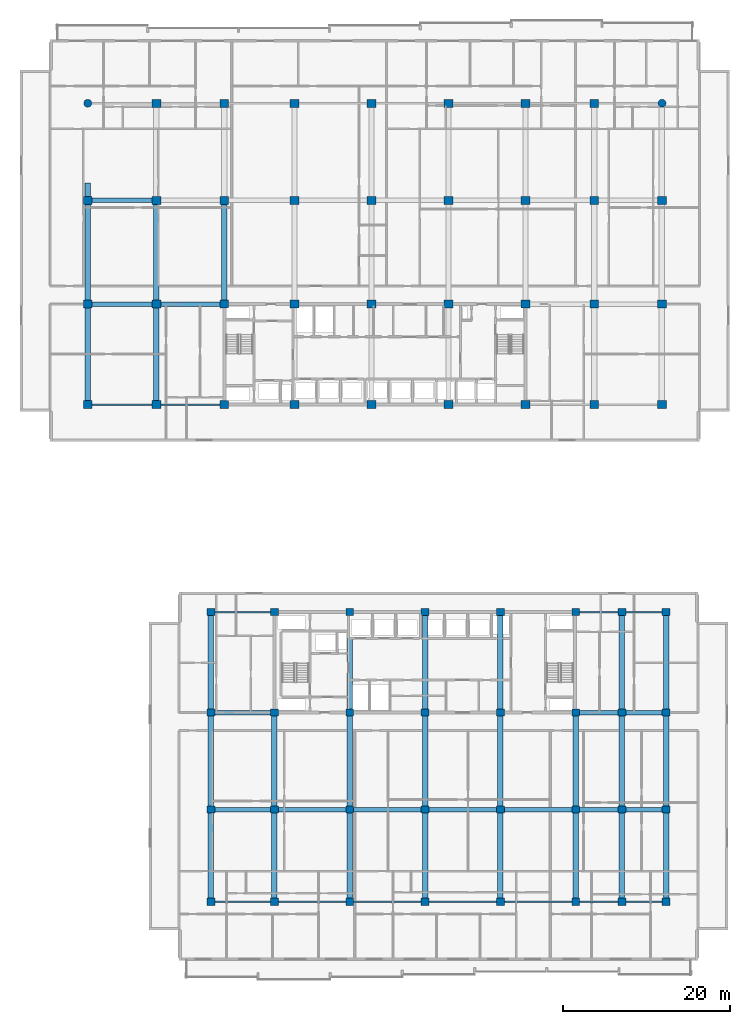
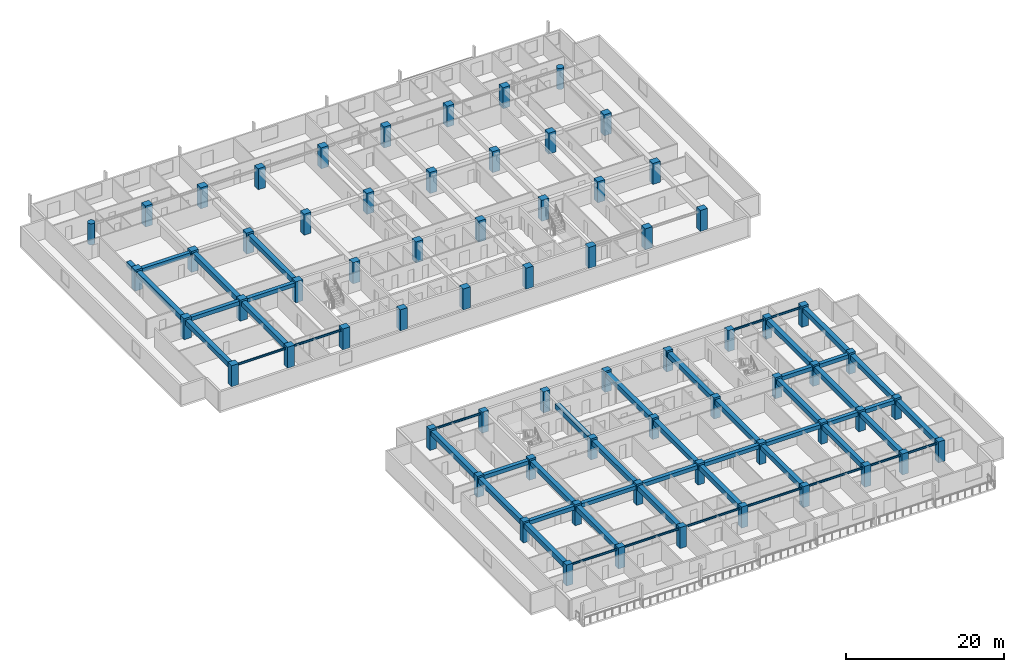
# One storey, part 1 of 23: 68 columns, 53 beams.
"""IFC4 building model written with IfcOpenShell, lengths in metres."""

from ifc_helpers import new_model, si_unit, direction, frame, origin, origin_2d, place, context, subcontext, project, spatial, rectangle, circle, i_section, extrude, material, material_profile, profile_set, type_object, element, save


model = new_model("IFC4")

# Units and contexts
model_context = context("Model", 3, precision=1e-05, world=origin(), true_north=direction((0.0, 1.0)))
body_context = subcontext(model_context, "Body", "Model", "MODEL_VIEW")
ifc_project = project(units=[si_unit("LENGTHUNIT", "METRE"), si_unit("AREAUNIT", "SQUARE_METRE"), si_unit("VOLUMEUNIT", "CUBIC_METRE"), si_unit("PLANEANGLEUNIT", "RADIAN"), si_unit("MASSUNIT", "GRAM", prefix="KILO")], contexts=[model_context])

# Site, building, storey
site_placement = place(None, origin())
site = spatial("IfcSite", under=ifc_project, at=site_placement, CompositionType="ELEMENT")
building_placement = place(site_placement, origin())
building = spatial("IfcBuilding", under=site, at=building_placement, Name="Korimba Cascade Residences", CompositionType="ELEMENT")
storey_placement = place(building_placement, frame((0.0, 0.0, 59.75)))
storey = spatial("IfcBuildingStorey", under=building, at=storey_placement, Name="L16", CompositionType="ELEMENT", Elevation=59.75)

# Columns
ifc_material_1 = material(Name="Concrete C80/95", Category="concrete")
ifc_material_profile_1 = material_profile(ifc_material_1, rectangle(XDim=1.050048828125, YDim=0.949951171875, at=origin_2d()), Name="Concrete C80/95")
ifc_profile_set_1 = profile_set([ifc_material_profile_1], Name="Concrete C80/95")
column_type_1 = type_object("IfcColumnType", Name="COL-RC-1050", PredefinedType="COLUMN", material=ifc_profile_set_1)
for number, where, z_axis, x_axis, name in (
    (1, (59.800048828125, 55.199951171875, 0.0), (0.0, 0.0, 1.0), (1.0, 0.0, 0.0), "L16 Tower 1 Column 1.1"),
    (2, (59.800048828125, 67.199951171875, 0.0), (0.0, 0.0, 1.0), (1.0, 0.0, 0.0), "L16 Tower 1 Column 1.2"),
    (3, (59.800048828125, 79.60009765625, 0.0), (0.0, 0.0, 1.0), (1.0, 0.0, 0.0), "L16 Tower 1 Column 1.3"),
    (4, (68.0, 55.199951171875, 0.0), (0.0, 0.0, 1.0), (1.0, 0.0, 0.0), "L16 Tower 1 Column 2.1"),
    (5, (68.0, 67.199951171875, 0.0), (0.0, 0.0, 1.0), (1.0, 0.0, 0.0), "L16 Tower 1 Column 2.2"),
    (6, (68.0, 79.60009765625, 0.0), (0.0, 0.0, 1.0), (1.0, 0.0, 0.0), "L16 Tower 1 Column 2.3"),
    (7, (68.0, 91.199951171875, 0.0), (0.0, 0.0, 1.0), (1.0, 0.0, 0.0), "L16 Tower 1 Column 2.4"),
    (8, (76.10009765625, 55.199951171875, 0.0), (0.0, 0.0, 1.0), (1.0, 0.0, 0.0), "L16 Tower 1 Column 3.1"),
    (9, (76.10009765625, 67.199951171875, 0.0), (0.0, 0.0, 1.0), (1.0, 0.0, 0.0), "L16 Tower 1 Column 3.2"),
    (10, (76.10009765625, 79.60009765625, 0.0), (0.0, 0.0, 1.0), (1.0, 0.0, 0.0), "L16 Tower 1 Column 3.3"),
    (11, (76.10009765625, 91.199951171875, 0.0), (0.0, 0.0, 1.0), (1.0, 0.0, 0.0), "L16 Tower 1 Column 3.4"),
    (12, (84.5, 55.199951171875, 0.0), (0.0, 0.0, 1.0), (1.0, 0.0, 0.0), "L16 Tower 1 Column 4.1"),
    (13, (84.5, 67.199951171875, 0.0), (0.0, 0.0, 1.0), (1.0, 0.0, 0.0), "L16 Tower 1 Column 4.2"),
    (14, (84.5, 79.60009765625, 0.0), (0.0, 0.0, 1.0), (1.0, 0.0, 0.0), "L16 Tower 1 Column 4.3"),
    (15, (84.5, 91.199951171875, 0.0), (0.0, 0.0, 1.0), (1.0, 0.0, 0.0), "L16 Tower 1 Column 4.4"),
    (16, (93.699951171875, 55.199951171875, 0.0), (0.0, 0.0, 1.0), (1.0, 0.0, 0.0), "L16 Tower 1 Column 5.1"),
    (17, (93.699951171875, 67.199951171875, 0.0), (0.0, 0.0, 1.0), (1.0, 0.0, 0.0), "L16 Tower 1 Column 5.2"),
    (18, (93.699951171875, 79.60009765625, 0.0), (0.0, 0.0, 1.0), (1.0, 0.0, 0.0), "L16 Tower 1 Column 5.3"),
    (19, (93.699951171875, 91.199951171875, 0.0), (0.0, 0.0, 1.0), (1.0, 0.0, 0.0), "L16 Tower 1 Column 5.4"),
    (20, (102.89990234375, 55.199951171875, 0.0), (0.0, 0.0, 1.0), (1.0, 0.0, 0.0), "L16 Tower 1 Column 6.1"),
    (21, (102.89990234375, 67.199951171875, 0.0), (0.0, 0.0, 1.0), (1.0, 0.0, 0.0), "L16 Tower 1 Column 6.2"),
    (22, (102.89990234375, 79.60009765625, 0.0), (0.0, 0.0, 1.0), (1.0, 0.0, 0.0), "L16 Tower 1 Column 6.3"),
    (23, (102.89990234375, 91.199951171875, 0.0), (0.0, 0.0, 1.0), (1.0, 0.0, 0.0), "L16 Tower 1 Column 6.4"),
    (24, (112.10009765625, 55.199951171875, 0.0), (0.0, 0.0, 1.0), (1.0, 0.0, 0.0), "L16 Tower 1 Column 7.1"),
    (25, (112.10009765625, 67.199951171875, 0.0), (0.0, 0.0, 1.0), (1.0, 0.0, 0.0), "L16 Tower 1 Column 7.2"),
    (26, (112.10009765625, 79.60009765625, 0.0), (0.0, 0.0, 1.0), (1.0, 0.0, 0.0), "L16 Tower 1 Column 7.3"),
    (27, (112.10009765625, 91.199951171875, 0.0), (0.0, 0.0, 1.0), (1.0, 0.0, 0.0), "L16 Tower 1 Column 7.4"),
    (28, (120.300048828125, 55.199951171875, 0.0), (0.0, 0.0, 1.0), (1.0, 0.0, 0.0), "L16 Tower 1 Column 8.1"),
    (29, (120.300048828125, 67.199951171875, 0.0), (0.0, 0.0, 1.0), (1.0, 0.0, 0.0), "L16 Tower 1 Column 8.2"),
    (30, (120.300048828125, 79.60009765625, 0.0), (0.0, 0.0, 1.0), (1.0, 0.0, 0.0), "L16 Tower 1 Column 8.3"),
    (31, (120.300048828125, 91.199951171875, 0.0), (0.0, 0.0, 1.0), (1.0, 0.0, 0.0), "L16 Tower 1 Column 8.4"),
    (32, (128.39990234375, 55.199951171875, 0.0), (0.0, 0.0, 1.0), (1.0, 0.0, 0.0), "L16 Tower 1 Column 9.1"),
    (33, (128.39990234375, 67.199951171875, 0.0), (0.0, 0.0, 1.0), (1.0, 0.0, 0.0), "L16 Tower 1 Column 9.2"),
    (34, (128.39990234375, 79.60009765625, 0.0), (0.0, 0.0, 1.0), (1.0, 0.0, 0.0), "L16 Tower 1 Column 9.3"),
):
    element("IfcColumn", number, at=place(storey_placement, frame(where, z_axis=z_axis, x_axis=x_axis)), inside=storey, type_object=column_type_1, Name=name, PredefinedType="COLUMN", context=body_context, shape_type="SweptSolid", body=[
        extrude(rectangle(XDim=1.050048828125, YDim=0.949951171875, at=origin_2d()), origin(), (0.0, 0.0, 1.0), 3.25),
    ])
ifc_material_2 = material(Name="Concrete C65/80", Category="concrete")
ifc_material_profile_2 = material_profile(ifc_material_2, rectangle(XDim=0.949951171875, YDim=0.85009765625, at=origin_2d()), Name="Concrete C65/80")
ifc_profile_set_2 = profile_set([ifc_material_profile_2], Name="Concrete C65/80")
column_type_2 = type_object("IfcColumnType", Name="COL-RC-950", PredefinedType="COLUMN", material=ifc_profile_set_2)
for number, where, z_axis, x_axis, name in (
    (35, (74.5, -4.199951171875, 0.0), (0.0, 0.0, 1.0), (1.0, 0.0, 0.0), "L16 Tower 2 Column 1.1"),
    (36, (74.5, 6.800048828125, 0.0), (0.0, 0.0, 1.0), (1.0, 0.0, 0.0), "L16 Tower 2 Column 1.2"),
    (37, (74.5, 18.39990234375, 0.0), (0.0, 0.0, 1.0), (1.0, 0.0, 0.0), "L16 Tower 2 Column 1.3"),
    (38, (74.5, 30.39990234375, 0.0), (0.0, 0.0, 1.0), (1.0, 0.0, 0.0), "L16 Tower 2 Column 1.4"),
    (39, (82.10009765625, -4.199951171875, 0.0), (0.0, 0.0, 1.0), (1.0, 0.0, 0.0), "L16 Tower 2 Column 2.1"),
    (40, (82.10009765625, 6.800048828125, 0.0), (0.0, 0.0, 1.0), (1.0, 0.0, 0.0), "L16 Tower 2 Column 2.2"),
    (41, (82.10009765625, 18.39990234375, 0.0), (0.0, 0.0, 1.0), (1.0, 0.0, 0.0), "L16 Tower 2 Column 2.3"),
    (42, (82.10009765625, 30.39990234375, 0.0), (0.0, 0.0, 1.0), (1.0, 0.0, 0.0), "L16 Tower 2 Column 2.4"),
    (43, (91.10009765625, -4.199951171875, 0.0), (0.0, 0.0, 1.0), (1.0, 0.0, 0.0), "L16 Tower 2 Column 3.1"),
    (44, (91.10009765625, 6.800048828125, 0.0), (0.0, 0.0, 1.0), (1.0, 0.0, 0.0), "L16 Tower 2 Column 3.2"),
    (45, (91.10009765625, 18.39990234375, 0.0), (0.0, 0.0, 1.0), (1.0, 0.0, 0.0), "L16 Tower 2 Column 3.3"),
    (46, (91.10009765625, 30.39990234375, 0.0), (0.0, 0.0, 1.0), (1.0, 0.0, 0.0), "L16 Tower 2 Column 3.4"),
    (47, (100.10009765625, -4.199951171875, 0.0), (0.0, 0.0, 1.0), (1.0, 0.0, 0.0), "L16 Tower 2 Column 4.1"),
    (48, (100.10009765625, 6.800048828125, 0.0), (0.0, 0.0, 1.0), (1.0, 0.0, 0.0), "L16 Tower 2 Column 4.2"),
    (49, (100.10009765625, 18.39990234375, 0.0), (0.0, 0.0, 1.0), (1.0, 0.0, 0.0), "L16 Tower 2 Column 4.3"),
    (50, (100.10009765625, 30.39990234375, 0.0), (0.0, 0.0, 1.0), (1.0, 0.0, 0.0), "L16 Tower 2 Column 4.4"),
    (51, (109.10009765625, -4.199951171875, 0.0), (0.0, 0.0, 1.0), (1.0, 0.0, 0.0), "L16 Tower 2 Column 5.1"),
    (52, (109.10009765625, 6.800048828125, 0.0), (0.0, 0.0, 1.0), (1.0, 0.0, 0.0), "L16 Tower 2 Column 5.2"),
    (53, (109.10009765625, 18.39990234375, 0.0), (0.0, 0.0, 1.0), (1.0, 0.0, 0.0), "L16 Tower 2 Column 5.3"),
    (54, (109.10009765625, 30.39990234375, 0.0), (0.0, 0.0, 1.0), (1.0, 0.0, 0.0), "L16 Tower 2 Column 5.4"),
    (55, (118.10009765625, -4.199951171875, 0.0), (0.0, 0.0, 1.0), (1.0, 0.0, 0.0), "L16 Tower 2 Column 6.1"),
    (56, (118.10009765625, 6.800048828125, 0.0), (0.0, 0.0, 1.0), (1.0, 0.0, 0.0), "L16 Tower 2 Column 6.2"),
    (57, (118.10009765625, 18.39990234375, 0.0), (0.0, 0.0, 1.0), (1.0, 0.0, 0.0), "L16 Tower 2 Column 6.3"),
    (58, (118.10009765625, 30.39990234375, 0.0), (0.0, 0.0, 1.0), (1.0, 0.0, 0.0), "L16 Tower 2 Column 6.4"),
    (59, (123.60009765625, -4.199951171875, 0.0), (0.0, 0.0, 1.0), (1.0, 0.0, 0.0), "L16 Tower 2 Column 7.1"),
    (60, (123.60009765625, 6.800048828125, 0.0), (0.0, 0.0, 1.0), (1.0, 0.0, 0.0), "L16 Tower 2 Column 7.2"),
    (61, (123.60009765625, 18.39990234375, 0.0), (0.0, 0.0, 1.0), (1.0, 0.0, 0.0), "L16 Tower 2 Column 7.3"),
    (62, (123.60009765625, 30.39990234375, 0.0), (0.0, 0.0, 1.0), (1.0, 0.0, 0.0), "L16 Tower 2 Column 7.4"),
    (63, (128.89990234375, -4.199951171875, 0.0), (0.0, 0.0, 1.0), (1.0, 0.0, 0.0), "L16 Tower 2 Column 8.1"),
    (64, (128.89990234375, 6.800048828125, 0.0), (0.0, 0.0, 1.0), (1.0, 0.0, 0.0), "L16 Tower 2 Column 8.2"),
    (65, (128.89990234375, 18.39990234375, 0.0), (0.0, 0.0, 1.0), (1.0, 0.0, 0.0), "L16 Tower 2 Column 8.3"),
    (66, (128.89990234375, 30.39990234375, 0.0), (0.0, 0.0, 1.0), (1.0, 0.0, 0.0), "L16 Tower 2 Column 8.4"),
):
    element("IfcColumn", number, at=place(storey_placement, frame(where, z_axis=z_axis, x_axis=x_axis)), inside=storey, type_object=column_type_2, Name=name, PredefinedType="COLUMN", context=body_context, shape_type="SweptSolid", body=[
        extrude(rectangle(XDim=0.949951171875, YDim=0.85009765625, at=origin_2d()), origin(), (0.0, 0.0, 1.0), 3.25),
    ])
ifc_material_profile_3 = material_profile(ifc_material_1, circle(Radius=0.47509765625, at=origin_2d()), Name="Concrete C80/95")
ifc_profile_set_3 = profile_set([ifc_material_profile_3], Name="Concrete C80/95")
column_type_3 = type_object("IfcColumnType", Name="COL-RC-D950", PredefinedType="COLUMN", material=ifc_profile_set_3)
for number, where, z_axis, x_axis, name in (
    (67, (59.800048828125, 91.199951171875, 0.0), (0.0, 0.0, 1.0), (1.0, 0.0, 0.0), "L16 Tower 1 Column 1.4"),
    (68, (128.39990234375, 91.199951171875, 0.0), (0.0, 0.0, 1.0), (1.0, 0.0, 0.0), "L16 Tower 1 Column 9.4"),
):
    element("IfcColumn", number, at=place(storey_placement, frame(where, z_axis=z_axis, x_axis=x_axis)), inside=storey, type_object=column_type_3, Name=name, PredefinedType="COLUMN", context=body_context, shape_type="SweptSolid", body=[
        extrude(circle(Radius=0.47509765625, at=origin_2d()), origin(), (0.0, 0.0, 1.0), 3.25),
    ])

# Beams
ifc_material_3 = material(Name="Concrete C50/60", Category="concrete")
ifc_material_profile_4 = material_profile(ifc_material_3, rectangle(XDim=0.550048828125, YDim=0.60009765625, at=origin_2d()), Name="Concrete C50/60")
ifc_profile_set_4 = profile_set([ifc_material_profile_4], Name="Concrete C50/60")
beam_type_1 = type_object("IfcBeamType", Name="BM-RC-B600", PredefinedType="BEAM", material=ifc_profile_set_4)
beam_1_placement = place(storey_placement, frame((60.324951171875, 67.199951171875, 2.669921875), z_axis=(1.0, 0.0, 0.0), x_axis=(0.0, 1.0, 0.0)))
element("IfcBeam", 69, at=beam_1_placement, inside=storey, type_object=beam_type_1, Name="L16 T1 E-W Girder Y2 Bay 1", PredefinedType="BEAM", context=body_context, shape_type="SweptSolid", body=[
    extrude(rectangle(XDim=0.550048828125, YDim=0.60009765625, at=origin_2d()), origin(), (0.0, 0.0, 1.0), 7.150146484375),
])
beam_2_placement = place(storey_placement, frame((68.52490234375, 67.199951171875, 2.669921875), z_axis=(1.0, 0.0, 0.0), x_axis=(0.0, 1.0, 0.0)))
element("IfcBeam", 70, at=beam_2_placement, inside=storey, type_object=beam_type_1, Name="L16 T1 E-W Girder Y2 Bay 2", PredefinedType="BEAM", context=body_context, shape_type="SweptSolid", body=[
    extrude(rectangle(XDim=0.550048828125, YDim=0.60009765625, at=origin_2d()), origin(), (0.0, 0.0, 1.0), 7.050048828125),
])
beam_3_placement = place(storey_placement, frame((60.324951171875, 79.60009765625, 2.669921875), z_axis=(1.0, 0.0, 0.0), x_axis=(0.0, 1.0, 0.0)))
element("IfcBeam", 71, at=beam_3_placement, inside=storey, type_object=beam_type_1, Name="L16 T1 E-W Girder Y3 Bay 1", PredefinedType="BEAM", context=body_context, shape_type="SweptSolid", body=[
    extrude(rectangle(XDim=0.550048828125, YDim=0.60009765625, at=origin_2d()), origin(), (0.0, 0.0, 1.0), 7.150146484375),
])
beam_4_placement = place(storey_placement, frame((74.97509765625, 6.800048828125, 2.669921875), z_axis=(1.0, 0.0, 0.0), x_axis=(0.0, 1.0, 0.0)))
element("IfcBeam", 72, at=beam_4_placement, inside=storey, type_object=beam_type_1, Name="L16 T2 E-W Girder Y2 Bay 1", PredefinedType="BEAM", context=body_context, shape_type="SweptSolid", body=[
    extrude(rectangle(XDim=0.550048828125, YDim=0.60009765625, at=origin_2d()), origin(), (0.0, 0.0, 1.0), 6.64990234375),
])
for number, where, z_axis, x_axis, name in (
    (73, (82.574951171875, 6.800048828125, 2.669921875), (1.0, 0.0, 0.0), (0.0, 1.0, 0.0), "L16 T2 E-W Girder Y2 Bay 2"),
    (74, (91.574951171875, 6.800048828125, 2.669921875), (1.0, 0.0, 0.0), (0.0, 1.0, 0.0), "L16 T2 E-W Girder Y2 Bay 3"),
    (75, (100.574951171875, 6.800048828125, 2.669921875), (1.0, 0.0, 0.0), (0.0, 1.0, 0.0), "L16 T2 E-W Girder Y2 Bay 4"),
    (76, (109.574951171875, 6.800048828125, 2.669921875), (1.0, 0.0, 0.0), (0.0, 1.0, 0.0), "L16 T2 E-W Girder Y2 Bay 5"),
):
    element("IfcBeam", number, at=place(storey_placement, frame(where, z_axis=z_axis, x_axis=x_axis)), inside=storey, type_object=beam_type_1, Name=name, PredefinedType="BEAM", context=body_context, shape_type="SweptSolid", body=[
        extrude(rectangle(XDim=0.550048828125, YDim=0.60009765625, at=origin_2d()), origin(), (0.0, 0.0, 1.0), 8.050048828125),
    ])
beam_5_placement = place(storey_placement, frame((118.574951171875, 6.800048828125, 2.669921875), z_axis=(1.0, 0.0, 0.0), x_axis=(0.0, 1.0, 0.0)))
element("IfcBeam", 77, at=beam_5_placement, inside=storey, type_object=beam_type_1, Name="L16 T2 E-W Girder Y2 Bay 6", PredefinedType="BEAM", context=body_context, shape_type="SweptSolid", body=[
    extrude(rectangle(XDim=0.550048828125, YDim=0.60009765625, at=origin_2d()), origin(), (0.0, 0.0, 1.0), 4.550048828125),
])
beam_6_placement = place(storey_placement, frame((124.074951171875, 6.800048828125, 2.669921875), z_axis=(1.0, 0.0, 0.0), x_axis=(0.0, 1.0, 0.0)))
element("IfcBeam", 78, at=beam_6_placement, inside=storey, type_object=beam_type_1, Name="L16 T2 E-W Girder Y2 Bay 7", PredefinedType="BEAM", context=body_context, shape_type="SweptSolid", body=[
    extrude(rectangle(XDim=0.550048828125, YDim=0.60009765625, at=origin_2d()), origin(), (0.0, 0.0, 1.0), 4.35009765625),
])
beam_7_placement = place(storey_placement, frame((74.97509765625, 18.39990234375, 2.669921875), z_axis=(1.0, 0.0, 0.0), x_axis=(0.0, 1.0, 0.0)))
element("IfcBeam", 79, at=beam_7_placement, inside=storey, type_object=beam_type_1, Name="L16 T2 E-W Girder Y3 Bay 1", PredefinedType="BEAM", context=body_context, shape_type="SweptSolid", body=[
    extrude(rectangle(XDim=0.550048828125, YDim=0.60009765625, at=origin_2d()), origin(), (0.0, 0.0, 1.0), 6.64990234375),
])
beam_8_placement = place(storey_placement, frame((118.574951171875, 18.39990234375, 2.669921875), z_axis=(1.0, 0.0, 0.0), x_axis=(0.0, 1.0, 0.0)))
element("IfcBeam", 80, at=beam_8_placement, inside=storey, type_object=beam_type_1, Name="L16 T2 E-W Girder Y3 Bay 6", PredefinedType="BEAM", context=body_context, shape_type="SweptSolid", body=[
    extrude(rectangle(XDim=0.550048828125, YDim=0.60009765625, at=origin_2d()), origin(), (0.0, 0.0, 1.0), 4.550048828125),
])
beam_9_placement = place(storey_placement, frame((124.074951171875, 18.39990234375, 2.669921875), z_axis=(1.0, 0.0, 0.0), x_axis=(0.0, 1.0, 0.0)))
element("IfcBeam", 81, at=beam_9_placement, inside=storey, type_object=beam_type_1, Name="L16 T2 E-W Girder Y3 Bay 7", PredefinedType="BEAM", context=body_context, shape_type="SweptSolid", body=[
    extrude(rectangle(XDim=0.550048828125, YDim=0.60009765625, at=origin_2d()), origin(), (0.0, 0.0, 1.0), 4.35009765625),
])
ifc_material_profile_5 = material_profile(ifc_material_3, rectangle(XDim=0.64990234375, YDim=0.75, at=origin_2d()), Name="Concrete C50/60")
ifc_profile_set_5 = profile_set([ifc_material_profile_5], Name="Concrete C50/60")
beam_type_2 = type_object("IfcBeamType", Name="BM-RC-G750", PredefinedType="BEAM", material=ifc_profile_set_5)
beam_10_placement = place(storey_placement, frame((59.800048828125, 55.675048828125, 2.594970703125), z_axis=(0.0, 1.0, 0.0), x_axis=(-1.0, 0.0, 0.0)))
element("IfcBeam", 82, at=beam_10_placement, inside=storey, type_object=beam_type_2, Name="L16 T1 N-S Girder X1 Seg 1", PredefinedType="BEAM", context=body_context, shape_type="SweptSolid", body=[
    extrude(rectangle(XDim=0.64990234375, YDim=0.75, at=origin_2d()), origin(), (0.0, 0.0, 1.0), 11.050048828125),
])
beam_11_placement = place(storey_placement, frame((59.800048828125, 67.675048828125, 2.594970703125), z_axis=(0.0, 1.0, 0.0), x_axis=(-1.0, 0.0, 0.0)))
element("IfcBeam", 83, at=beam_11_placement, inside=storey, type_object=beam_type_2, Name="L16 T1 N-S Girder X1 Seg 2", PredefinedType="BEAM", context=body_context, shape_type="SweptSolid", body=[
    extrude(rectangle(XDim=0.64990234375, YDim=0.75, at=origin_2d()), origin(), (0.0, 0.0, 1.0), 11.449951171875),
])
beam_12_placement = place(storey_placement, frame((59.800048828125, 80.074951171875, 2.594970703125), z_axis=(0.0, 1.0, 0.0), x_axis=(-1.0, 0.0, 0.0)))
element("IfcBeam", 84, at=beam_12_placement, inside=storey, type_object=beam_type_2, Name="L16 T1 N-S Girder X1 Seg 3", PredefinedType="BEAM", context=body_context, shape_type="SweptSolid", body=[
    extrude(rectangle(XDim=0.64990234375, YDim=0.75, at=origin_2d()), origin(), (0.0, 0.0, 1.0), 1.625),
])
beam_13_placement = place(storey_placement, frame((68.0, 55.675048828125, 2.594970703125), z_axis=(0.0, 1.0, 0.0), x_axis=(-1.0, 0.0, 0.0)))
element("IfcBeam", 85, at=beam_13_placement, inside=storey, type_object=beam_type_2, Name="L16 T1 N-S Girder X2 Seg 1", PredefinedType="BEAM", context=body_context, shape_type="SweptSolid", body=[
    extrude(rectangle(XDim=0.64990234375, YDim=0.75, at=origin_2d()), origin(), (0.0, 0.0, 1.0), 11.050048828125),
])
for number, where, z_axis, x_axis, name in (
    (86, (68.0, 67.675048828125, 2.594970703125), (0.0, 1.0, 0.0), (-1.0, 0.0, 0.0), "L16 T1 N-S Girder X2 Seg 2"),
    (87, (76.10009765625, 67.675048828125, 2.594970703125), (0.0, 1.0, 0.0), (-1.0, 0.0, 0.0), "L16 T1 N-S Girder X3 Seg 2"),
):
    element("IfcBeam", number, at=place(storey_placement, frame(where, z_axis=z_axis, x_axis=x_axis)), inside=storey, type_object=beam_type_2, Name=name, PredefinedType="BEAM", context=body_context, shape_type="SweptSolid", body=[
        extrude(rectangle(XDim=0.64990234375, YDim=0.75, at=origin_2d()), origin(), (0.0, 0.0, 1.0), 11.449951171875),
    ])
beam_14_placement = place(storey_placement, frame((74.5, -3.77490234375, 2.594970703125), z_axis=(0.0, 1.0, 0.0), x_axis=(-1.0, 0.0, 0.0)))
element("IfcBeam", 88, at=beam_14_placement, inside=storey, type_object=beam_type_2, Name="L16 T2 N-S Girder X1 Seg 1", PredefinedType="BEAM", context=body_context, shape_type="SweptSolid", body=[
    extrude(rectangle(XDim=0.64990234375, YDim=0.75, at=origin_2d()), origin(), (0.0, 0.0, 1.0), 10.14990234375),
])
beam_15_placement = place(storey_placement, frame((74.5, 7.22509765625, 2.594970703125), z_axis=(0.0, 1.0, 0.0), x_axis=(-1.0, 0.0, 0.0)))
element("IfcBeam", 89, at=beam_15_placement, inside=storey, type_object=beam_type_2, Name="L16 T2 N-S Girder X1 Seg 2", PredefinedType="BEAM", context=body_context, shape_type="SweptSolid", body=[
    extrude(rectangle(XDim=0.64990234375, YDim=0.75, at=origin_2d()), origin(), (0.0, 0.0, 1.0), 10.75),
])
beam_16_placement = place(storey_placement, frame((74.5, 18.824951171875, 2.594970703125), z_axis=(0.0, 1.0, 0.0), x_axis=(-1.0, 0.0, 0.0)))
element("IfcBeam", 90, at=beam_16_placement, inside=storey, type_object=beam_type_2, Name="L16 T2 N-S Girder X1 Seg 3", PredefinedType="BEAM", context=body_context, shape_type="SweptSolid", body=[
    extrude(rectangle(XDim=0.64990234375, YDim=0.75, at=origin_2d()), origin(), (0.0, 0.0, 1.0), 11.150146484375),
])
beam_17_placement = place(storey_placement, frame((82.10009765625, -3.77490234375, 2.594970703125), z_axis=(0.0, 1.0, 0.0), x_axis=(-1.0, 0.0, 0.0)))
element("IfcBeam", 91, at=beam_17_placement, inside=storey, type_object=beam_type_2, Name="L16 T2 N-S Girder X2 Seg 1", PredefinedType="BEAM", context=body_context, shape_type="SweptSolid", body=[
    extrude(rectangle(XDim=0.64990234375, YDim=0.75, at=origin_2d()), origin(), (0.0, 0.0, 1.0), 10.14990234375),
])
beam_18_placement = place(storey_placement, frame((82.10009765625, 7.22509765625, 2.594970703125), z_axis=(0.0, 1.0, 0.0), x_axis=(-1.0, 0.0, 0.0)))
element("IfcBeam", 92, at=beam_18_placement, inside=storey, type_object=beam_type_2, Name="L16 T2 N-S Girder X2 Seg 2", PredefinedType="BEAM", context=body_context, shape_type="SweptSolid", body=[
    extrude(rectangle(XDim=0.64990234375, YDim=0.75, at=origin_2d()), origin(), (0.0, 0.0, 1.0), 10.75),
])
beam_19_placement = place(storey_placement, frame((91.10009765625, -3.77490234375, 2.594970703125), z_axis=(0.0, 1.0, 0.0), x_axis=(-1.0, 0.0, 0.0)))
element("IfcBeam", 93, at=beam_19_placement, inside=storey, type_object=beam_type_2, Name="L16 T2 N-S Girder X3 Seg 1", PredefinedType="BEAM", context=body_context, shape_type="SweptSolid", body=[
    extrude(rectangle(XDim=0.64990234375, YDim=0.75, at=origin_2d()), origin(), (0.0, 0.0, 1.0), 10.14990234375),
])
beam_20_placement = place(storey_placement, frame((91.10009765625, 7.22509765625, 2.594970703125), z_axis=(0.0, 1.0, 0.0), x_axis=(-1.0, 0.0, 0.0)))
element("IfcBeam", 94, at=beam_20_placement, inside=storey, type_object=beam_type_2, Name="L16 T2 N-S Girder X3 Seg 2", PredefinedType="BEAM", context=body_context, shape_type="SweptSolid", body=[
    extrude(rectangle(XDim=0.64990234375, YDim=0.75, at=origin_2d()), origin(), (0.0, 0.0, 1.0), 10.75),
])
beam_21_placement = place(storey_placement, frame((91.10009765625, 18.824951171875, 2.594970703125), z_axis=(0.0, 1.0, 0.0), x_axis=(-1.0, 0.0, 0.0)))
element("IfcBeam", 95, at=beam_21_placement, inside=storey, type_object=beam_type_2, Name="L16 T2 N-S Girder X3 Seg 3", PredefinedType="BEAM", context=body_context, shape_type="SweptSolid", body=[
    extrude(rectangle(XDim=0.64990234375, YDim=0.75, at=origin_2d()), origin(), (0.0, 0.0, 1.0), 8.51513671875),
])
beam_22_placement = place(storey_placement, frame((100.10009765625, -3.77490234375, 2.594970703125), z_axis=(0.0, 1.0, 0.0), x_axis=(-1.0, 0.0, 0.0)))
element("IfcBeam", 96, at=beam_22_placement, inside=storey, type_object=beam_type_2, Name="L16 T2 N-S Girder X4 Seg 1", PredefinedType="BEAM", context=body_context, shape_type="SweptSolid", body=[
    extrude(rectangle(XDim=0.64990234375, YDim=0.75, at=origin_2d()), origin(), (0.0, 0.0, 1.0), 10.14990234375),
])
beam_23_placement = place(storey_placement, frame((100.10009765625, 7.22509765625, 2.594970703125), z_axis=(0.0, 1.0, 0.0), x_axis=(-1.0, 0.0, 0.0)))
element("IfcBeam", 97, at=beam_23_placement, inside=storey, type_object=beam_type_2, Name="L16 T2 N-S Girder X4 Seg 2", PredefinedType="BEAM", context=body_context, shape_type="SweptSolid", body=[
    extrude(rectangle(XDim=0.64990234375, YDim=0.75, at=origin_2d()), origin(), (0.0, 0.0, 1.0), 10.75),
])
beam_24_placement = place(storey_placement, frame((100.10009765625, 18.824951171875, 2.594970703125), z_axis=(0.0, 1.0, 0.0), x_axis=(-1.0, 0.0, 0.0)))
element("IfcBeam", 98, at=beam_24_placement, inside=storey, type_object=beam_type_2, Name="L16 T2 N-S Girder X4 Seg 3", PredefinedType="BEAM", context=body_context, shape_type="SweptSolid", body=[
    extrude(rectangle(XDim=0.64990234375, YDim=0.75, at=origin_2d()), origin(), (0.0, 0.0, 1.0), 11.150146484375),
])
beam_25_placement = place(storey_placement, frame((109.10009765625, -3.77490234375, 2.594970703125), z_axis=(0.0, 1.0, 0.0), x_axis=(-1.0, 0.0, 0.0)))
element("IfcBeam", 99, at=beam_25_placement, inside=storey, type_object=beam_type_2, Name="L16 T2 N-S Girder X5 Seg 1", PredefinedType="BEAM", context=body_context, shape_type="SweptSolid", body=[
    extrude(rectangle(XDim=0.64990234375, YDim=0.75, at=origin_2d()), origin(), (0.0, 0.0, 1.0), 10.14990234375),
])
beam_26_placement = place(storey_placement, frame((109.10009765625, 7.22509765625, 2.594970703125), z_axis=(0.0, 1.0, 0.0), x_axis=(-1.0, 0.0, 0.0)))
element("IfcBeam", 100, at=beam_26_placement, inside=storey, type_object=beam_type_2, Name="L16 T2 N-S Girder X5 Seg 2", PredefinedType="BEAM", context=body_context, shape_type="SweptSolid", body=[
    extrude(rectangle(XDim=0.64990234375, YDim=0.75, at=origin_2d()), origin(), (0.0, 0.0, 1.0), 10.75),
])
beam_27_placement = place(storey_placement, frame((109.10009765625, 18.824951171875, 2.594970703125), z_axis=(0.0, 1.0, 0.0), x_axis=(-1.0, 0.0, 0.0)))
element("IfcBeam", 101, at=beam_27_placement, inside=storey, type_object=beam_type_2, Name="L16 T2 N-S Girder X5 Seg 3", PredefinedType="BEAM", context=body_context, shape_type="SweptSolid", body=[
    extrude(rectangle(XDim=0.64990234375, YDim=0.75, at=origin_2d()), origin(), (0.0, 0.0, 1.0), 11.150146484375),
])
beam_28_placement = place(storey_placement, frame((118.10009765625, -3.77490234375, 2.594970703125), z_axis=(0.0, 1.0, 0.0), x_axis=(-1.0, 0.0, 0.0)))
element("IfcBeam", 102, at=beam_28_placement, inside=storey, type_object=beam_type_2, Name="L16 T2 N-S Girder X6 Seg 1", PredefinedType="BEAM", context=body_context, shape_type="SweptSolid", body=[
    extrude(rectangle(XDim=0.64990234375, YDim=0.75, at=origin_2d()), origin(), (0.0, 0.0, 1.0), 10.14990234375),
])
beam_29_placement = place(storey_placement, frame((118.10009765625, 7.22509765625, 2.594970703125), z_axis=(0.0, 1.0, 0.0), x_axis=(-1.0, 0.0, 0.0)))
element("IfcBeam", 103, at=beam_29_placement, inside=storey, type_object=beam_type_2, Name="L16 T2 N-S Girder X6 Seg 2", PredefinedType="BEAM", context=body_context, shape_type="SweptSolid", body=[
    extrude(rectangle(XDim=0.64990234375, YDim=0.75, at=origin_2d()), origin(), (0.0, 0.0, 1.0), 10.75),
])
beam_30_placement = place(storey_placement, frame((123.60009765625, -3.77490234375, 2.594970703125), z_axis=(0.0, 1.0, 0.0), x_axis=(-1.0, 0.0, 0.0)))
element("IfcBeam", 104, at=beam_30_placement, inside=storey, type_object=beam_type_2, Name="L16 T2 N-S Girder X7 Seg 1", PredefinedType="BEAM", context=body_context, shape_type="SweptSolid", body=[
    extrude(rectangle(XDim=0.64990234375, YDim=0.75, at=origin_2d()), origin(), (0.0, 0.0, 1.0), 10.14990234375),
])
beam_31_placement = place(storey_placement, frame((123.60009765625, 7.22509765625, 2.594970703125), z_axis=(0.0, 1.0, 0.0), x_axis=(-1.0, 0.0, 0.0)))
element("IfcBeam", 105, at=beam_31_placement, inside=storey, type_object=beam_type_2, Name="L16 T2 N-S Girder X7 Seg 2", PredefinedType="BEAM", context=body_context, shape_type="SweptSolid", body=[
    extrude(rectangle(XDim=0.64990234375, YDim=0.75, at=origin_2d()), origin(), (0.0, 0.0, 1.0), 10.75),
])
beam_32_placement = place(storey_placement, frame((123.60009765625, 18.824951171875, 2.594970703125), z_axis=(0.0, 1.0, 0.0), x_axis=(-1.0, 0.0, 0.0)))
element("IfcBeam", 106, at=beam_32_placement, inside=storey, type_object=beam_type_2, Name="L16 T2 N-S Girder X7 Seg 3", PredefinedType="BEAM", context=body_context, shape_type="SweptSolid", body=[
    extrude(rectangle(XDim=0.64990234375, YDim=0.75, at=origin_2d()), origin(), (0.0, 0.0, 1.0), 11.150146484375),
])
beam_33_placement = place(storey_placement, frame((128.89990234375, -3.77490234375, 2.594970703125), z_axis=(0.0, 1.0, 0.0), x_axis=(-1.0, 0.0, 0.0)))
element("IfcBeam", 107, at=beam_33_placement, inside=storey, type_object=beam_type_2, Name="L16 T2 N-S Girder X8 Seg 1", PredefinedType="BEAM", context=body_context, shape_type="SweptSolid", body=[
    extrude(rectangle(XDim=0.64990234375, YDim=0.75, at=origin_2d()), origin(), (0.0, 0.0, 1.0), 10.14990234375),
])
beam_34_placement = place(storey_placement, frame((128.89990234375, 7.22509765625, 2.594970703125), z_axis=(0.0, 1.0, 0.0), x_axis=(-1.0, 0.0, 0.0)))
element("IfcBeam", 108, at=beam_34_placement, inside=storey, type_object=beam_type_2, Name="L16 T2 N-S Girder X8 Seg 2", PredefinedType="BEAM", context=body_context, shape_type="SweptSolid", body=[
    extrude(rectangle(XDim=0.64990234375, YDim=0.75, at=origin_2d()), origin(), (0.0, 0.0, 1.0), 10.75),
])
beam_35_placement = place(storey_placement, frame((128.89990234375, 18.824951171875, 2.594970703125), z_axis=(0.0, 1.0, 0.0), x_axis=(-1.0, 0.0, 0.0)))
element("IfcBeam", 109, at=beam_35_placement, inside=storey, type_object=beam_type_2, Name="L16 T2 N-S Girder X8 Seg 3", PredefinedType="BEAM", context=body_context, shape_type="SweptSolid", body=[
    extrude(rectangle(XDim=0.64990234375, YDim=0.75, at=origin_2d()), origin(), (0.0, 0.0, 1.0), 11.150146484375),
])
ifc_material_4 = material(Name="Steel S355", Category="steel")
ifc_material_profile_6 = material_profile(ifc_material_4, i_section(OverallWidth=0.165771484375, OverallDepth=0.306640625, WebThickness=0.006591796875, FlangeThickness=0.01171875, FilletRadius=0.0087890625, at=origin_2d()), Name="Steel S355")
ifc_profile_set_6 = profile_set([ifc_material_profile_6], Name="Steel S355")
beam_type_3 = type_object("IfcBeamType", Name="BM-STL-UB305", PredefinedType="SPANDREL", material=ifc_profile_set_6)
beam_36_placement = place(storey_placement, frame((60.324951171875, 55.199951171875, 2.816650390625), z_axis=(1.0, 0.0, 0.0), x_axis=(0.0, 1.0, 0.0)))
element("IfcBeam", 110, at=beam_36_placement, inside=storey, type_object=beam_type_3, Name="L16 T1 E-W Girder Y1 Bay 1", PredefinedType="SPANDREL", context=body_context, shape_type="SweptSolid", body=[
    extrude(i_section(OverallWidth=0.165771484375, OverallDepth=0.306640625, WebThickness=0.006591796875, FlangeThickness=0.01171875, FilletRadius=0.0087890625, at=origin_2d()), origin(), (0.0, 0.0, 1.0), 7.150146484375),
])
beam_37_placement = place(storey_placement, frame((68.52490234375, 55.199951171875, 2.816650390625), z_axis=(1.0, 0.0, 0.0), x_axis=(0.0, 1.0, 0.0)))
element("IfcBeam", 111, at=beam_37_placement, inside=storey, type_object=beam_type_3, Name="L16 T1 E-W Girder Y1 Bay 2", PredefinedType="SPANDREL", context=body_context, shape_type="SweptSolid", body=[
    extrude(i_section(OverallWidth=0.165771484375, OverallDepth=0.306640625, WebThickness=0.006591796875, FlangeThickness=0.01171875, FilletRadius=0.0087890625, at=origin_2d()), origin(), (0.0, 0.0, 1.0), 7.050048828125),
])
beam_38_placement = place(storey_placement, frame((74.97509765625, -4.199951171875, 2.816650390625), z_axis=(1.0, 0.0, 0.0), x_axis=(0.0, 1.0, 0.0)))
element("IfcBeam", 112, at=beam_38_placement, inside=storey, type_object=beam_type_3, Name="L16 T2 E-W Girder Y1 Bay 1", PredefinedType="SPANDREL", context=body_context, shape_type="SweptSolid", body=[
    extrude(i_section(OverallWidth=0.165771484375, OverallDepth=0.306640625, WebThickness=0.006591796875, FlangeThickness=0.01171875, FilletRadius=0.0087890625, at=origin_2d()), origin(), (0.0, 0.0, 1.0), 6.64990234375),
])
for number, where, z_axis, x_axis, name in (
    (113, (82.574951171875, -4.199951171875, 2.816650390625), (1.0, 0.0, 0.0), (0.0, 1.0, 0.0), "L16 T2 E-W Girder Y1 Bay 2"),
    (114, (91.574951171875, -4.199951171875, 2.816650390625), (1.0, 0.0, 0.0), (0.0, 1.0, 0.0), "L16 T2 E-W Girder Y1 Bay 3"),
    (115, (100.574951171875, -4.199951171875, 2.816650390625), (1.0, 0.0, 0.0), (0.0, 1.0, 0.0), "L16 T2 E-W Girder Y1 Bay 4"),
    (116, (109.574951171875, -4.199951171875, 2.816650390625), (1.0, 0.0, 0.0), (0.0, 1.0, 0.0), "L16 T2 E-W Girder Y1 Bay 5"),
):
    element("IfcBeam", number, at=place(storey_placement, frame(where, z_axis=z_axis, x_axis=x_axis)), inside=storey, type_object=beam_type_3, Name=name, PredefinedType="SPANDREL", context=body_context, shape_type="SweptSolid", body=[
        extrude(i_section(OverallWidth=0.165771484375, OverallDepth=0.306640625, WebThickness=0.006591796875, FlangeThickness=0.01171875, FilletRadius=0.0087890625, at=origin_2d()), origin(), (0.0, 0.0, 1.0), 8.050048828125),
    ])
beam_39_placement = place(storey_placement, frame((118.574951171875, -4.199951171875, 2.816650390625), z_axis=(1.0, 0.0, 0.0), x_axis=(0.0, 1.0, 0.0)))
element("IfcBeam", 117, at=beam_39_placement, inside=storey, type_object=beam_type_3, Name="L16 T2 E-W Girder Y1 Bay 6", PredefinedType="SPANDREL", context=body_context, shape_type="SweptSolid", body=[
    extrude(i_section(OverallWidth=0.165771484375, OverallDepth=0.306640625, WebThickness=0.006591796875, FlangeThickness=0.01171875, FilletRadius=0.0087890625, at=origin_2d()), origin(), (0.0, 0.0, 1.0), 4.550048828125),
])
beam_40_placement = place(storey_placement, frame((124.074951171875, -4.199951171875, 2.816650390625), z_axis=(1.0, 0.0, 0.0), x_axis=(0.0, 1.0, 0.0)))
element("IfcBeam", 118, at=beam_40_placement, inside=storey, type_object=beam_type_3, Name="L16 T2 E-W Girder Y1 Bay 7", PredefinedType="SPANDREL", context=body_context, shape_type="SweptSolid", body=[
    extrude(i_section(OverallWidth=0.165771484375, OverallDepth=0.306640625, WebThickness=0.006591796875, FlangeThickness=0.01171875, FilletRadius=0.0087890625, at=origin_2d()), origin(), (0.0, 0.0, 1.0), 4.35009765625),
])
beam_41_placement = place(storey_placement, frame((74.97509765625, 30.39990234375, 2.816650390625), z_axis=(1.0, 0.0, 0.0), x_axis=(0.0, 1.0, 0.0)))
element("IfcBeam", 119, at=beam_41_placement, inside=storey, type_object=beam_type_3, Name="L16 T2 E-W Girder Y4 Bay 1", PredefinedType="SPANDREL", context=body_context, shape_type="SweptSolid", body=[
    extrude(i_section(OverallWidth=0.165771484375, OverallDepth=0.306640625, WebThickness=0.006591796875, FlangeThickness=0.01171875, FilletRadius=0.0087890625, at=origin_2d()), origin(), (0.0, 0.0, 1.0), 6.64990234375),
])
beam_42_placement = place(storey_placement, frame((118.574951171875, 30.39990234375, 2.816650390625), z_axis=(1.0, 0.0, 0.0), x_axis=(0.0, 1.0, 0.0)))
element("IfcBeam", 120, at=beam_42_placement, inside=storey, type_object=beam_type_3, Name="L16 T2 E-W Girder Y4 Bay 6", PredefinedType="SPANDREL", context=body_context, shape_type="SweptSolid", body=[
    extrude(i_section(OverallWidth=0.165771484375, OverallDepth=0.306640625, WebThickness=0.006591796875, FlangeThickness=0.01171875, FilletRadius=0.0087890625, at=origin_2d()), origin(), (0.0, 0.0, 1.0), 4.550048828125),
])
beam_43_placement = place(storey_placement, frame((124.074951171875, 30.39990234375, 2.816650390625), z_axis=(1.0, 0.0, 0.0), x_axis=(0.0, 1.0, 0.0)))
element("IfcBeam", 121, at=beam_43_placement, inside=storey, type_object=beam_type_3, Name="L16 T2 E-W Girder Y4 Bay 7", PredefinedType="SPANDREL", context=body_context, shape_type="SweptSolid", body=[
    extrude(i_section(OverallWidth=0.165771484375, OverallDepth=0.306640625, WebThickness=0.006591796875, FlangeThickness=0.01171875, FilletRadius=0.0087890625, at=origin_2d()), origin(), (0.0, 0.0, 1.0), 4.35009765625),
])

save(model, "model.ifc")
